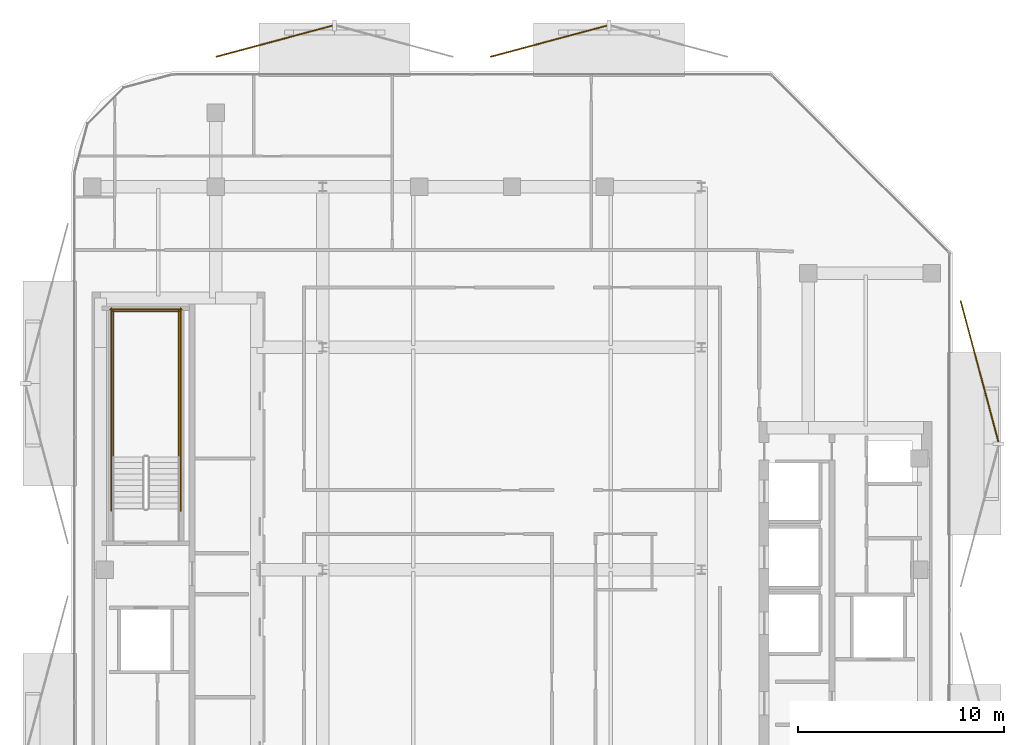
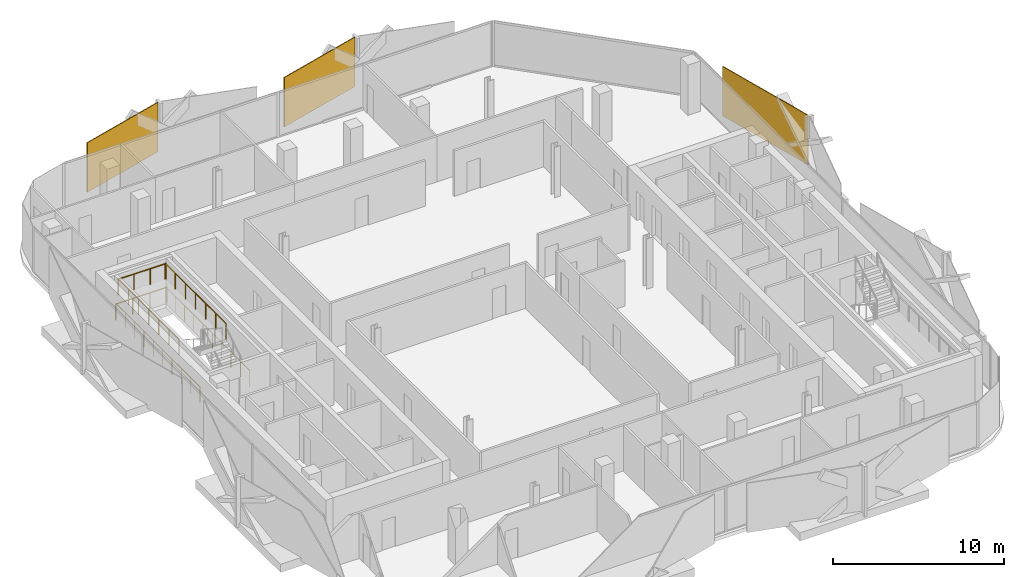
# One storey, part 15 of 15: 6 railings, 3 coverings.
"""IFC4 building model written with IfcOpenShell, lengths in metres."""

from ifc_helpers import new_model, si_unit, direction, frame, origin, origin_2d, place, context, subcontext, project, spatial, rectangle, circle, extrude, material, layer, layer_set, type_object, element, save


model = new_model("IFC4")

# Units and contexts
model_context = context("Model", 3, precision=1e-05, world=origin(), true_north=direction((0.0, 1.0)))
body_context = subcontext(model_context, "Body", "Model", "MODEL_VIEW")
ifc_project = project(units=[si_unit("LENGTHUNIT", "METRE"), si_unit("AREAUNIT", "SQUARE_METRE"), si_unit("VOLUMEUNIT", "CUBIC_METRE"), si_unit("PLANEANGLEUNIT", "RADIAN"), si_unit("MASSUNIT", "GRAM", prefix="KILO")], contexts=[model_context])

# Site, building, storey
site_placement = place(None, origin())
site = spatial("IfcSite", under=ifc_project, at=site_placement, CompositionType="ELEMENT")
building_placement = place(site_placement, origin())
building = spatial("IfcBuilding", under=site, at=building_placement, Name="Khairoan Windgate Tower", CompositionType="ELEMENT")
storey_placement = place(building_placement, frame((0.0, 0.0, 269.199951171875)))
storey = spatial("IfcBuildingStorey", under=building, at=storey_placement, Name="L64", CompositionType="ELEMENT", Elevation=269.199951171875)

# Coverings
ifc_material_1 = material(Name="Anodised Bronze Aluminium 6063-T6", Category="aluminium")
ifc_layer = layer(ifc_material_1, 0.054931640625, Name="Anodised Bronze Aluminium 6063-T6")
ifc_layer_set = layer_set([ifc_layer], Name="Anodised Bronze Aluminium 6063-T6")
covering_type = type_object("IfcCoveringType", Name="Perforated Bronze-Ceramic Folded Solar Screen Cladding BSC-1", PredefinedType="CLADDING", material=ifc_layer_set)
for number, where, z_axis, x_axis, name in (
    (1, (-11.546630859375, 25.6806640625, -0.099853515625), (0.0, 0.0, 1.0), (0.965925826289, 0.258819045103, 0.0), "L64 Folded Bronze Solar Screen Facet 445L"),
    (2, (1.789794921875, 25.6806640625, -0.099853515625), (0.0, 0.0, 1.0), (0.965925826289, 0.258819045103, 0.0), "L64 Folded Bronze Solar Screen Facet 446L"),
):
    element("IfcCovering", number, at=place(storey_placement, frame(where, z_axis=z_axis, x_axis=x_axis)), inside=storey, type_object=covering_type, Name=name, PredefinedType="CLADDING", context=body_context, shape_type="SweptSolid", body=[
        extrude(rectangle(XDim=5.867919921875, YDim=0.054931640625, at=origin_2d()), origin(), (0.0, 0.0, 1.0), 3.5400390625),
    ])
covering_placement = place(storey_placement, frame((22.72119140625, 9.6328125, -0.099853515625), z_axis=(0.0, 0.0, 1.0), x_axis=(0.258819045103, -0.965925826289, 0.0)))
element("IfcCovering", 3, at=covering_placement, inside=storey, type_object=covering_type, Name="L64 Folded Bronze Solar Screen Facet 447L", PredefinedType="CLADDING", context=body_context, shape_type="SweptSolid", body=[
    extrude(rectangle(XDim=7.10009765625, YDim=0.054931640625, at=origin_2d()), origin(), (0.0, 0.0, 1.0), 3.5400390625),
])

# Railings
ifc_material_2 = material(Name="Steel S355", Category="steel")
railing_type = type_object("IfcRailingType", Name="Stairwell Safety Guardrail SGR-1150", PredefinedType="GUARDRAIL", material=ifc_material_2)
for number, where, name in (
    (4, (-16.199951171875, 5.47998046875, 1.800048828125), "L64 ST2 stair guard 3"),
    (5, (-19.3701171875, 5.47998046875, 1.800048828125), "L64 ST2 stair guard 4"),
):
    element("IfcRailing", number, at=place(storey_placement, frame(where)), inside=storey, type_object=railing_type, Name=name, PredefinedType="GUARDRAIL", context=body_context, shape_type="SweptSolid", body=[
        extrude(circle(Radius=0.02392578125, at=origin_2d()), frame((0.0, 0.0, 1.1259765625), z_axis=(0.0, 1.0, 0.0), x_axis=(-1.0, 0.0, 0.0)), (0.0, 0.0, 1.0), 7.1201171875),
        extrude(circle(Radius=0.02099609375, at=origin_2d()), origin(), (0.0, 0.0, 1.0), 1.101806640625),
        extrude(circle(Radius=0.02099609375, at=origin_2d()), frame((0.0, 1.186767578125, 0.0)), (0.0, 0.0, 1.0), 1.101806640625),
        extrude(circle(Radius=0.02099609375, at=origin_2d()), frame((0.0, 2.373291015625, 0.0)), (0.0, 0.0, 1.0), 1.101806640625),
        extrude(circle(Radius=0.02099609375, at=origin_2d()), frame((0.0, 3.56005859375, 0.0)), (0.0, 0.0, 1.0), 1.101806640625),
        extrude(circle(Radius=0.02099609375, at=origin_2d()), frame((0.0, 4.746826171875, 0.0)), (0.0, 0.0, 1.0), 1.101806640625),
        extrude(circle(Radius=0.02099609375, at=origin_2d()), frame((0.0, 5.933349609375, 0.0)), (0.0, 0.0, 1.0), 1.101806640625),
        extrude(circle(Radius=0.02099609375, at=origin_2d()), frame((0.0, 7.1201171875, 0.0)), (0.0, 0.0, 1.0), 1.101806640625),
    ])
railing_1_placement = place(storey_placement, frame((-16.14990234375, 12.550048828125, 1.800048828125)))
element("IfcRailing", 6, at=railing_1_placement, inside=storey, type_object=railing_type, Name="L64 ST2 stair guard 5", PredefinedType="GUARDRAIL", context=body_context, shape_type="SweptSolid", body=[
    extrude(circle(Radius=0.02392578125, at=origin_2d()), frame((0.0, 0.0, 1.1259765625), z_axis=(-1.0, 0.0, 0.0), x_axis=(0.0, -1.0, 0.0)), (0.0, 0.0, 1.0), 3.27001953125),
    extrude(circle(Radius=0.02099609375, at=origin_2d()), origin(), (0.0, 0.0, 1.0), 1.101806640625),
    extrude(circle(Radius=0.02099609375, at=origin_2d()), frame((-1.090087890625, 0.0, 0.0)), (0.0, 0.0, 1.0), 1.101806640625),
    extrude(circle(Radius=0.02099609375, at=origin_2d()), frame((-2.179931640625, 0.0, 0.0)), (0.0, 0.0, 1.0), 1.101806640625),
    extrude(circle(Radius=0.02099609375, at=origin_2d()), frame((-3.27001953125, 0.0, 0.0)), (0.0, 0.0, 1.0), 1.101806640625),
])
for number, where, name in (
    (7, (-16.10009765625, 2.860107421875, 0.0), "L64 ST2 stair guard 10"),
    (8, (-19.469970703125, 2.860107421875, 0.0), "L64 ST2 stair guard 11"),
):
    element("IfcRailing", number, at=place(storey_placement, frame(where)), inside=storey, type_object=railing_type, Name=name, PredefinedType="GUARDRAIL", context=body_context, shape_type="SweptSolid", body=[
        extrude(circle(Radius=0.02392578125, at=origin_2d()), frame((0.0, 0.0, 1.1259765625), z_axis=(0.0, 1.0, 0.0), x_axis=(-1.0, 0.0, 0.0)), (0.0, 0.0, 1.0), 9.83984375),
        extrude(circle(Radius=0.02099609375, at=origin_2d()), origin(), (0.0, 0.0, 1.0), 1.101806640625),
        extrude(circle(Radius=0.02099609375, at=origin_2d()), frame((0.0, 1.09326171875, 0.0)), (0.0, 0.0, 1.0), 1.101806640625),
        extrude(circle(Radius=0.02099609375, at=origin_2d()), frame((0.0, 2.1865234375, 0.0)), (0.0, 0.0, 1.0), 1.101806640625),
        extrude(circle(Radius=0.02099609375, at=origin_2d()), frame((0.0, 3.280029296875, 0.0)), (0.0, 0.0, 1.0), 1.101806640625),
        extrude(circle(Radius=0.02099609375, at=origin_2d()), frame((0.0, 4.373291015625, 0.0)), (0.0, 0.0, 1.0), 1.101806640625),
        extrude(circle(Radius=0.02099609375, at=origin_2d()), frame((0.0, 5.466552734375, 0.0)), (0.0, 0.0, 1.0), 1.101806640625),
        extrude(circle(Radius=0.02099609375, at=origin_2d()), frame((0.0, 6.559814453125, 0.0)), (0.0, 0.0, 1.0), 1.101806640625),
        extrude(circle(Radius=0.02099609375, at=origin_2d()), frame((0.0, 7.6533203125, 0.0)), (0.0, 0.0, 1.0), 1.101806640625),
        extrude(circle(Radius=0.02099609375, at=origin_2d()), frame((0.0, 8.74658203125, 0.0)), (0.0, 0.0, 1.0), 1.101806640625),
        extrude(circle(Radius=0.02099609375, at=origin_2d()), frame((0.0, 9.83984375, 0.0)), (0.0, 0.0, 1.0), 1.101806640625),
    ])
railing_2_placement = place(storey_placement, frame((-16.050048828125, 12.64990234375, 0.0)))
element("IfcRailing", 9, at=railing_2_placement, inside=storey, type_object=railing_type, Name="L64 ST2 stair guard 12", PredefinedType="GUARDRAIL", context=body_context, shape_type="SweptSolid", body=[
    extrude(circle(Radius=0.02392578125, at=origin_2d()), frame((0.0, 0.0, 1.1259765625), z_axis=(-1.0, 0.0, 0.0), x_axis=(0.0, -1.0, 0.0)), (0.0, 0.0, 1.0), 3.469970703125),
    extrude(circle(Radius=0.02099609375, at=origin_2d()), origin(), (0.0, 0.0, 1.0), 1.101806640625),
    extrude(circle(Radius=0.02099609375, at=origin_2d()), frame((-1.15673828125, 0.0, 0.0)), (0.0, 0.0, 1.0), 1.101806640625),
    extrude(circle(Radius=0.02099609375, at=origin_2d()), frame((-2.313232421875, 0.0, 0.0)), (0.0, 0.0, 1.0), 1.101806640625),
    extrude(circle(Radius=0.02099609375, at=origin_2d()), frame((-3.469970703125, 0.0, 0.0)), (0.0, 0.0, 1.0), 1.101806640625),
])

save(model, "model.ifc")
